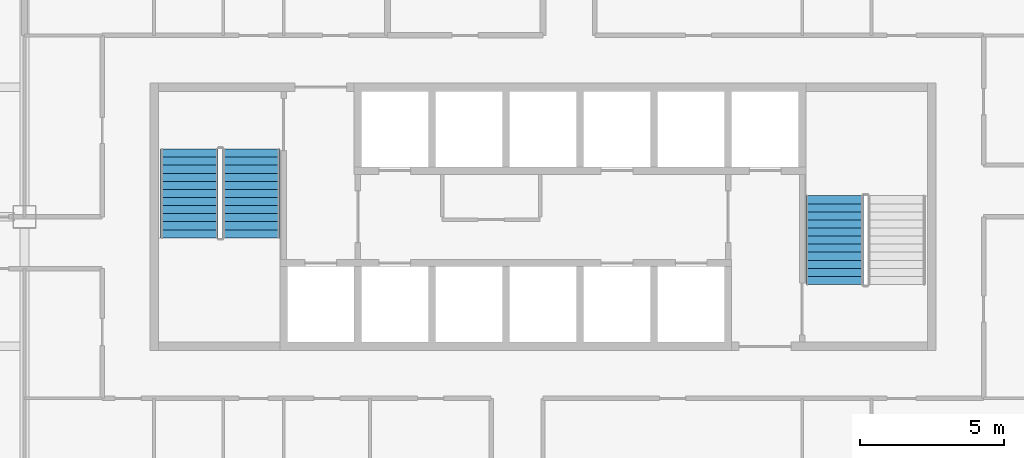
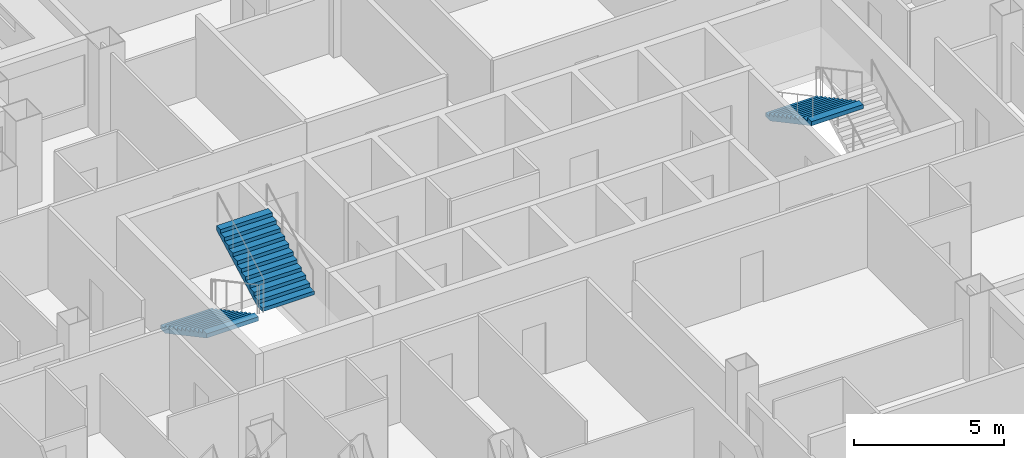
# One storey, part 10 of 14: 3 stair flights, 2 elements without a shape of their own.
"""IFC4 building model written with IfcOpenShell, lengths in metres."""

from ifc_helpers import new_model, si_unit, direction, frame, origin, place, context, subcontext, project, spatial, polygons, material, type_object, element, aggregate, save


model = new_model("IFC4")

# Units and contexts
model_context = context("Model", 3, precision=1e-05, world=origin(), true_north=direction((0.0, 1.0)))
body_context = subcontext(model_context, "Body", "Model", "MODEL_VIEW")
ifc_project = project(units=[si_unit("LENGTHUNIT", "METRE"), si_unit("AREAUNIT", "SQUARE_METRE"), si_unit("VOLUMEUNIT", "CUBIC_METRE"), si_unit("PLANEANGLEUNIT", "RADIAN"), si_unit("MASSUNIT", "GRAM", prefix="KILO")], contexts=[model_context])

# Site, building, storey
site_placement = place(None, origin())
site = spatial("IfcSite", under=ifc_project, at=site_placement, CompositionType="ELEMENT")
building_placement = place(site_placement, origin())
building = spatial("IfcBuilding", under=site, at=building_placement, Name="Caravel Reach Hotel and Residences", CompositionType="ELEMENT")
storey_placement = place(building_placement, frame((0.0, 0.0, 67.199951171875)))
storey = spatial("IfcBuildingStorey", under=building, at=storey_placement, Name="L15", CompositionType="ELEMENT", Elevation=67.199951171875)

# Stair, stair flights
ifc_material_1 = material(Name="Concrete C40", Category="concrete")
stair_type = type_object("IfcStairType", Name="Core stair", PredefinedType="HALF_TURN_STAIR", material=ifc_material_1)
stair_1_placement = place(storey_placement, origin())
stair_1 = element("IfcStair", 1, at=stair_1_placement, inside=storey, type_object=stair_type, Name="L15 Exit stair A", PredefinedType="HALF_TURN_STAIR")
ifc_material_2 = material(Name="Concrete C40", Category="concrete")
stair_flight_type = type_object("IfcStairFlightType", Name="Core stair flight", PredefinedType="STRAIGHT", material=ifc_material_2)
stair_flight_1_placement = place(storey_placement, frame((19.22509765625, 29.35009765625, 0.0), z_axis=(0.0, 0.0, 1.0), x_axis=(0.0, -1.0, 0.0)))
stair_flight_1 = element("IfcStairFlight", 2, at=stair_flight_1_placement, type_object=stair_flight_type, Name="ST-A flight 1", NumberOfRisers=12, NumberOfTreads=11, PredefinedType="STRAIGHT", RiserHeight=0.15, TreadLength=0.28, context=body_context, shape_type="Tessellation", body=[
    polygons([(0.3174408016601862, 1.0, 0.0), (0.3174408016601862, 0.6666666666666667, 0.0), (0.3174408016601862, 0.33333333333333337, 0.0), (0.3174408016601862, 0.0, 0.0), (0.3174408016601862, -0.33333333333333326, 0.0), (0.3174408016601862, -0.6666666666666667, 0.0), (0.3174408016601862, -1.0, 0.0), (3.081, 1.0, 1.479942427682043), (3.081, 0.6666666666666667, 1.479942427682043), (3.081, 0.33333333333333337, 1.479942427682043), (3.081, 0.0, 1.479942427682043), (3.081, -0.33333333333333326, 1.479942427682043), (3.081, -0.6666666666666667, 1.479942427682043), (3.081, -1.0, 1.479942427682043), (3.081, 1.0, 1.65), (3.081, 0.6666666666666667, 1.65), (3.081, 0.33333333333333337, 1.65), (3.081, 0.0, 1.65), (3.081, -0.33333333333333326, 1.65), (3.081, -0.6666666666666667, 1.65), (3.081, -1.0, 1.65), (2.8000000000000003, 1.0, 1.65), (2.8000000000000003, 0.6666666666666667, 1.65), (2.8000000000000003, 0.33333333333333337, 1.65), (2.8000000000000003, 0.0, 1.65), (2.8000000000000003, -0.33333333333333326, 1.65), (2.8000000000000003, -0.6666666666666667, 1.65), (2.8000000000000003, -1.0, 1.65), (2.8000000000000003, 1.0, 1.5), (2.8000000000000003, 0.6666666666666667, 1.5), (2.8000000000000003, 0.33333333333333337, 1.5), (2.8000000000000003, 0.0, 1.5), (2.8000000000000003, -0.33333333333333326, 1.5), (2.8000000000000003, -0.6666666666666667, 1.5), (2.8000000000000003, -1.0, 1.5), (2.5200000000000005, 1.0, 1.5), (2.5200000000000005, 0.6666666666666667, 1.5), (2.5200000000000005, 0.33333333333333337, 1.5), (2.5200000000000005, 0.0, 1.5), (2.5200000000000005, -0.33333333333333326, 1.5), (2.5200000000000005, -0.6666666666666667, 1.5), (2.5200000000000005, -1.0, 1.5), (2.5200000000000005, 1.0, 1.3499999999999999), (2.5200000000000005, 0.6666666666666667, 1.3499999999999999), (2.5200000000000005, 0.33333333333333337, 1.3499999999999999), (2.5200000000000005, 0.0, 1.3499999999999999), (2.5200000000000005, -0.33333333333333326, 1.3499999999999999), (2.5200000000000005, -0.6666666666666667, 1.3499999999999999), (2.5200000000000005, -1.0, 1.3499999999999999), (2.24, 1.0, 1.3499999999999999), (2.24, 0.6666666666666667, 1.3499999999999999), (2.24, 0.33333333333333337, 1.3499999999999999), (2.24, 0.0, 1.3499999999999999), (2.24, -0.33333333333333326, 1.3499999999999999), (2.24, -0.6666666666666667, 1.3499999999999999), (2.24, -1.0, 1.3499999999999999), (2.24, 1.0, 1.2), (2.24, 0.6666666666666667, 1.2), (2.24, 0.33333333333333337, 1.2), (2.24, 0.0, 1.2), (2.24, -0.33333333333333326, 1.2), (2.24, -0.6666666666666667, 1.2), (2.24, -1.0, 1.2), (1.9600000000000002, 1.0, 1.2), (1.9600000000000002, 0.6666666666666667, 1.2), (1.9600000000000002, 0.33333333333333337, 1.2), (1.9600000000000002, 0.0, 1.2), (1.9600000000000002, -0.33333333333333326, 1.2), (1.9600000000000002, -0.6666666666666667, 1.2), (1.9600000000000002, -1.0, 1.2), (1.9600000000000002, 1.0, 1.05), (1.9600000000000002, 0.6666666666666667, 1.05), (1.9600000000000002, 0.33333333333333337, 1.05), (1.9600000000000002, 0.0, 1.05), (1.9600000000000002, -0.33333333333333326, 1.05), (1.9600000000000002, -0.6666666666666667, 1.05), (1.9600000000000002, -1.0, 1.05), (1.6800000000000002, 1.0, 1.05), (1.6800000000000002, 0.6666666666666667, 1.05), (1.6800000000000002, 0.33333333333333337, 1.05), (1.6800000000000002, 0.0, 1.05), (1.6800000000000002, -0.33333333333333326, 1.05), (1.6800000000000002, -0.6666666666666667, 1.05), (1.6800000000000002, -1.0, 1.05), (1.6800000000000002, 1.0, 0.8999999999999999), (1.6800000000000002, 0.6666666666666667, 0.8999999999999999), (1.6800000000000002, 0.33333333333333337, 0.8999999999999999), (1.6800000000000002, 0.0, 0.8999999999999999), (1.6800000000000002, -0.33333333333333326, 0.8999999999999999), (1.6800000000000002, -0.6666666666666667, 0.8999999999999999), (1.6800000000000002, -1.0, 0.8999999999999999), (1.4000000000000001, 1.0, 0.8999999999999999), (1.4000000000000001, 0.6666666666666667, 0.8999999999999999), (1.4000000000000001, 0.33333333333333337, 0.8999999999999999), (1.4000000000000001, 0.0, 0.8999999999999999), (1.4000000000000001, -0.33333333333333326, 0.8999999999999999), (1.4000000000000001, -0.6666666666666667, 0.8999999999999999), (1.4000000000000001, -1.0, 0.8999999999999999), (1.4000000000000001, 1.0, 0.75), (1.4000000000000001, 0.6666666666666667, 0.75), (1.4000000000000001, 0.33333333333333337, 0.75), (1.4000000000000001, 0.0, 0.75), (1.4000000000000001, -0.33333333333333326, 0.75), (1.4000000000000001, -0.6666666666666667, 0.75), (1.4000000000000001, -1.0, 0.75), (1.12, 1.0, 0.75), (1.12, 0.6666666666666667, 0.75), (1.12, 0.33333333333333337, 0.75), (1.12, 0.0, 0.75), (1.12, -0.33333333333333326, 0.75), (1.12, -0.6666666666666667, 0.75), (1.12, -1.0, 0.75), (1.12, 1.0, 0.6), (1.12, 0.6666666666666667, 0.6), (1.12, 0.33333333333333337, 0.6), (1.12, 0.0, 0.6), (1.12, -0.33333333333333326, 0.6), (1.12, -0.6666666666666667, 0.6), (1.12, -1.0, 0.6), (0.8400000000000001, 1.0, 0.6), (0.8400000000000001, 0.6666666666666667, 0.6), (0.8400000000000001, 0.33333333333333337, 0.6), (0.8400000000000001, 0.0, 0.6), (0.8400000000000001, -0.33333333333333326, 0.6), (0.8400000000000001, -0.6666666666666667, 0.6), (0.8400000000000001, -1.0, 0.6), (0.8400000000000001, 1.0, 0.44999999999999996), (0.8400000000000001, 0.6666666666666667, 0.44999999999999996), (0.8400000000000001, 0.33333333333333337, 0.44999999999999996), (0.8400000000000001, 0.0, 0.44999999999999996), (0.8400000000000001, -0.33333333333333326, 0.44999999999999996), (0.8400000000000001, -0.6666666666666667, 0.44999999999999996), (0.8400000000000001, -1.0, 0.44999999999999996), (0.56, 1.0, 0.44999999999999996), (0.56, 0.6666666666666667, 0.44999999999999996), (0.56, 0.33333333333333337, 0.44999999999999996), (0.56, 0.0, 0.44999999999999996), (0.56, -0.33333333333333326, 0.44999999999999996), (0.56, -0.6666666666666667, 0.44999999999999996), (0.56, -1.0, 0.44999999999999996), (0.56, 1.0, 0.3), (0.56, 0.6666666666666667, 0.3), (0.56, 0.33333333333333337, 0.3), (0.56, 0.0, 0.3), (0.56, -0.33333333333333326, 0.3), (0.56, -0.6666666666666667, 0.3), (0.56, -1.0, 0.3), (0.28, 1.0, 0.3), (0.28, 0.6666666666666667, 0.3), (0.28, 0.33333333333333337, 0.3), (0.28, 0.0, 0.3), (0.28, -0.33333333333333326, 0.3), (0.28, -0.6666666666666667, 0.3), (0.28, -1.0, 0.3), (0.28, 1.0, 0.15), (0.28, 0.6666666666666667, 0.15), (0.28, 0.33333333333333337, 0.15), (0.28, 0.0, 0.15), (0.28, -0.33333333333333326, 0.15), (0.28, -0.6666666666666667, 0.15), (0.28, -1.0, 0.15), (-0.001, 1.0, 0.15), (-0.001, 0.6666666666666667, 0.15), (-0.001, 0.33333333333333337, 0.15), (-0.001, 0.0, 0.15), (-0.001, -0.33333333333333326, 0.15), (-0.001, -0.6666666666666667, 0.15), (-0.001, -1.0, 0.15), (-0.001, 1.0, 0.0), (-0.001, 0.6666666666666667, 0.0), (-0.001, 0.33333333333333337, 0.0), (-0.001, 0.0, 0.0), (-0.001, -0.33333333333333326, 0.0), (-0.001, -0.6666666666666667, 0.0), (-0.001, -1.0, 0.0)], [[[169, 162, 155, 148, 141, 134, 127, 120, 113, 106, 99, 92, 85, 78, 71, 64, 57, 50, 43, 36, 29, 22, 15, 8, 1]], [[7, 14, 21, 28, 35, 42, 49, 56, 63, 70, 77, 84, 91, 98, 105, 112, 119, 126, 133, 140, 147, 154, 161, 168, 175]], [[1, 8, 9, 2]], [[2, 9, 10, 3]], [[3, 10, 11, 4]], [[4, 11, 12, 5]], [[5, 12, 13, 6]], [[6, 13, 14, 7]], [[8, 15, 16, 9]], [[9, 16, 17, 10]], [[10, 17, 18, 11]], [[11, 18, 19, 12]], [[12, 19, 20, 13]], [[13, 20, 21, 14]], [[15, 22, 23, 16]], [[16, 23, 24, 17]], [[17, 24, 25, 18]], [[18, 25, 26, 19]], [[19, 26, 27, 20]], [[20, 27, 28, 21]], [[22, 29, 30, 23]], [[23, 30, 31, 24]], [[24, 31, 32, 25]], [[25, 32, 33, 26]], [[26, 33, 34, 27]], [[27, 34, 35, 28]], [[29, 36, 37, 30]], [[30, 37, 38, 31]], [[31, 38, 39, 32]], [[32, 39, 40, 33]], [[33, 40, 41, 34]], [[34, 41, 42, 35]], [[36, 43, 44, 37]], [[37, 44, 45, 38]], [[38, 45, 46, 39]], [[39, 46, 47, 40]], [[40, 47, 48, 41]], [[41, 48, 49, 42]], [[43, 50, 51, 44]], [[44, 51, 52, 45]], [[45, 52, 53, 46]], [[46, 53, 54, 47]], [[47, 54, 55, 48]], [[48, 55, 56, 49]], [[50, 57, 58, 51]], [[51, 58, 59, 52]], [[52, 59, 60, 53]], [[53, 60, 61, 54]], [[54, 61, 62, 55]], [[55, 62, 63, 56]], [[57, 64, 65, 58]], [[58, 65, 66, 59]], [[59, 66, 67, 60]], [[60, 67, 68, 61]], [[61, 68, 69, 62]], [[62, 69, 70, 63]], [[64, 71, 72, 65]], [[65, 72, 73, 66]], [[66, 73, 74, 67]], [[67, 74, 75, 68]], [[68, 75, 76, 69]], [[69, 76, 77, 70]], [[71, 78, 79, 72]], [[72, 79, 80, 73]], [[73, 80, 81, 74]], [[74, 81, 82, 75]], [[75, 82, 83, 76]], [[76, 83, 84, 77]], [[78, 85, 86, 79]], [[79, 86, 87, 80]], [[80, 87, 88, 81]], [[81, 88, 89, 82]], [[82, 89, 90, 83]], [[83, 90, 91, 84]], [[85, 92, 93, 86]], [[86, 93, 94, 87]], [[87, 94, 95, 88]], [[88, 95, 96, 89]], [[89, 96, 97, 90]], [[90, 97, 98, 91]], [[92, 99, 100, 93]], [[93, 100, 101, 94]], [[94, 101, 102, 95]], [[95, 102, 103, 96]], [[96, 103, 104, 97]], [[97, 104, 105, 98]], [[99, 106, 107, 100]], [[100, 107, 108, 101]], [[101, 108, 109, 102]], [[102, 109, 110, 103]], [[103, 110, 111, 104]], [[104, 111, 112, 105]], [[106, 113, 114, 107]], [[107, 114, 115, 108]], [[108, 115, 116, 109]], [[109, 116, 117, 110]], [[110, 117, 118, 111]], [[111, 118, 119, 112]], [[113, 120, 121, 114]], [[114, 121, 122, 115]], [[115, 122, 123, 116]], [[116, 123, 124, 117]], [[117, 124, 125, 118]], [[118, 125, 126, 119]], [[120, 127, 128, 121]], [[121, 128, 129, 122]], [[122, 129, 130, 123]], [[123, 130, 131, 124]], [[124, 131, 132, 125]], [[125, 132, 133, 126]], [[127, 134, 135, 128]], [[128, 135, 136, 129]], [[129, 136, 137, 130]], [[130, 137, 138, 131]], [[131, 138, 139, 132]], [[132, 139, 140, 133]], [[134, 141, 142, 135]], [[135, 142, 143, 136]], [[136, 143, 144, 137]], [[137, 144, 145, 138]], [[138, 145, 146, 139]], [[139, 146, 147, 140]], [[141, 148, 149, 142]], [[142, 149, 150, 143]], [[143, 150, 151, 144]], [[144, 151, 152, 145]], [[145, 152, 153, 146]], [[146, 153, 154, 147]], [[148, 155, 156, 149]], [[149, 156, 157, 150]], [[150, 157, 158, 151]], [[151, 158, 159, 152]], [[152, 159, 160, 153]], [[153, 160, 161, 154]], [[155, 162, 163, 156]], [[156, 163, 164, 157]], [[157, 164, 165, 158]], [[158, 165, 166, 159]], [[159, 166, 167, 160]], [[160, 167, 168, 161]], [[162, 169, 170, 163]], [[163, 170, 171, 164]], [[164, 171, 172, 165]], [[165, 172, 173, 166]], [[166, 173, 174, 167]], [[167, 174, 175, 168]], [[169, 1, 2, 170]], [[170, 2, 3, 171]], [[171, 3, 4, 172]], [[172, 4, 5, 173]], [[173, 5, 6, 174]], [[174, 6, 7, 175]]], closed=True),
])
stair_flight_2_placement = place(storey_placement, frame((21.375, 26.27001953125, 1.800048828125), z_axis=(0.0, 0.0, 1.0), x_axis=(0.0, 1.0, 0.0)))
stair_flight_2 = element("IfcStairFlight", 3, at=stair_flight_2_placement, type_object=stair_flight_type, Name="ST-A flight 2", NumberOfRisers=12, NumberOfTreads=11, PredefinedType="STRAIGHT", RiserHeight=0.15, TreadLength=0.28, context=body_context, shape_type="Tessellation", body=[
    polygons([(0.3174408016601862, 1.0, 0.0), (0.3174408016601862, 0.6666666666666667, 0.0), (0.3174408016601862, 0.33333333333333337, 0.0), (0.3174408016601862, 0.0, 0.0), (0.3174408016601862, -0.33333333333333326, 0.0), (0.3174408016601862, -0.6666666666666667, 0.0), (0.3174408016601862, -1.0, 0.0), (3.081, 1.0, 1.479942427682043), (3.081, 0.6666666666666667, 1.479942427682043), (3.081, 0.33333333333333337, 1.479942427682043), (3.081, 0.0, 1.479942427682043), (3.081, -0.33333333333333326, 1.479942427682043), (3.081, -0.6666666666666667, 1.479942427682043), (3.081, -1.0, 1.479942427682043), (3.081, 1.0, 1.65), (3.081, 0.6666666666666667, 1.65), (3.081, 0.33333333333333337, 1.65), (3.081, 0.0, 1.65), (3.081, -0.33333333333333326, 1.65), (3.081, -0.6666666666666667, 1.65), (3.081, -1.0, 1.65), (2.8000000000000003, 1.0, 1.65), (2.8000000000000003, 0.6666666666666667, 1.65), (2.8000000000000003, 0.33333333333333337, 1.65), (2.8000000000000003, 0.0, 1.65), (2.8000000000000003, -0.33333333333333326, 1.65), (2.8000000000000003, -0.6666666666666667, 1.65), (2.8000000000000003, -1.0, 1.65), (2.8000000000000003, 1.0, 1.5), (2.8000000000000003, 0.6666666666666667, 1.5), (2.8000000000000003, 0.33333333333333337, 1.5), (2.8000000000000003, 0.0, 1.5), (2.8000000000000003, -0.33333333333333326, 1.5), (2.8000000000000003, -0.6666666666666667, 1.5), (2.8000000000000003, -1.0, 1.5), (2.5200000000000005, 1.0, 1.5), (2.5200000000000005, 0.6666666666666667, 1.5), (2.5200000000000005, 0.33333333333333337, 1.5), (2.5200000000000005, 0.0, 1.5), (2.5200000000000005, -0.33333333333333326, 1.5), (2.5200000000000005, -0.6666666666666667, 1.5), (2.5200000000000005, -1.0, 1.5), (2.5200000000000005, 1.0, 1.3499999999999999), (2.5200000000000005, 0.6666666666666667, 1.3499999999999999), (2.5200000000000005, 0.33333333333333337, 1.3499999999999999), (2.5200000000000005, 0.0, 1.3499999999999999), (2.5200000000000005, -0.33333333333333326, 1.3499999999999999), (2.5200000000000005, -0.6666666666666667, 1.3499999999999999), (2.5200000000000005, -1.0, 1.3499999999999999), (2.24, 1.0, 1.3499999999999999), (2.24, 0.6666666666666667, 1.3499999999999999), (2.24, 0.33333333333333337, 1.3499999999999999), (2.24, 0.0, 1.3499999999999999), (2.24, -0.33333333333333326, 1.3499999999999999), (2.24, -0.6666666666666667, 1.3499999999999999), (2.24, -1.0, 1.3499999999999999), (2.24, 1.0, 1.2), (2.24, 0.6666666666666667, 1.2), (2.24, 0.33333333333333337, 1.2), (2.24, 0.0, 1.2), (2.24, -0.33333333333333326, 1.2), (2.24, -0.6666666666666667, 1.2), (2.24, -1.0, 1.2), (1.9600000000000002, 1.0, 1.2), (1.9600000000000002, 0.6666666666666667, 1.2), (1.9600000000000002, 0.33333333333333337, 1.2), (1.9600000000000002, 0.0, 1.2), (1.9600000000000002, -0.33333333333333326, 1.2), (1.9600000000000002, -0.6666666666666667, 1.2), (1.9600000000000002, -1.0, 1.2), (1.9600000000000002, 1.0, 1.05), (1.9600000000000002, 0.6666666666666667, 1.05), (1.9600000000000002, 0.33333333333333337, 1.05), (1.9600000000000002, 0.0, 1.05), (1.9600000000000002, -0.33333333333333326, 1.05), (1.9600000000000002, -0.6666666666666667, 1.05), (1.9600000000000002, -1.0, 1.05), (1.6800000000000002, 1.0, 1.05), (1.6800000000000002, 0.6666666666666667, 1.05), (1.6800000000000002, 0.33333333333333337, 1.05), (1.6800000000000002, 0.0, 1.05), (1.6800000000000002, -0.33333333333333326, 1.05), (1.6800000000000002, -0.6666666666666667, 1.05), (1.6800000000000002, -1.0, 1.05), (1.6800000000000002, 1.0, 0.8999999999999999), (1.6800000000000002, 0.6666666666666667, 0.8999999999999999), (1.6800000000000002, 0.33333333333333337, 0.8999999999999999), (1.6800000000000002, 0.0, 0.8999999999999999), (1.6800000000000002, -0.33333333333333326, 0.8999999999999999), (1.6800000000000002, -0.6666666666666667, 0.8999999999999999), (1.6800000000000002, -1.0, 0.8999999999999999), (1.4000000000000001, 1.0, 0.8999999999999999), (1.4000000000000001, 0.6666666666666667, 0.8999999999999999), (1.4000000000000001, 0.33333333333333337, 0.8999999999999999), (1.4000000000000001, 0.0, 0.8999999999999999), (1.4000000000000001, -0.33333333333333326, 0.8999999999999999), (1.4000000000000001, -0.6666666666666667, 0.8999999999999999), (1.4000000000000001, -1.0, 0.8999999999999999), (1.4000000000000001, 1.0, 0.75), (1.4000000000000001, 0.6666666666666667, 0.75), (1.4000000000000001, 0.33333333333333337, 0.75), (1.4000000000000001, 0.0, 0.75), (1.4000000000000001, -0.33333333333333326, 0.75), (1.4000000000000001, -0.6666666666666667, 0.75), (1.4000000000000001, -1.0, 0.75), (1.12, 1.0, 0.75), (1.12, 0.6666666666666667, 0.75), (1.12, 0.33333333333333337, 0.75), (1.12, 0.0, 0.75), (1.12, -0.33333333333333326, 0.75), (1.12, -0.6666666666666667, 0.75), (1.12, -1.0, 0.75), (1.12, 1.0, 0.6), (1.12, 0.6666666666666667, 0.6), (1.12, 0.33333333333333337, 0.6), (1.12, 0.0, 0.6), (1.12, -0.33333333333333326, 0.6), (1.12, -0.6666666666666667, 0.6), (1.12, -1.0, 0.6), (0.8400000000000001, 1.0, 0.6), (0.8400000000000001, 0.6666666666666667, 0.6), (0.8400000000000001, 0.33333333333333337, 0.6), (0.8400000000000001, 0.0, 0.6), (0.8400000000000001, -0.33333333333333326, 0.6), (0.8400000000000001, -0.6666666666666667, 0.6), (0.8400000000000001, -1.0, 0.6), (0.8400000000000001, 1.0, 0.44999999999999996), (0.8400000000000001, 0.6666666666666667, 0.44999999999999996), (0.8400000000000001, 0.33333333333333337, 0.44999999999999996), (0.8400000000000001, 0.0, 0.44999999999999996), (0.8400000000000001, -0.33333333333333326, 0.44999999999999996), (0.8400000000000001, -0.6666666666666667, 0.44999999999999996), (0.8400000000000001, -1.0, 0.44999999999999996), (0.56, 1.0, 0.44999999999999996), (0.56, 0.6666666666666667, 0.44999999999999996), (0.56, 0.33333333333333337, 0.44999999999999996), (0.56, 0.0, 0.44999999999999996), (0.56, -0.33333333333333326, 0.44999999999999996), (0.56, -0.6666666666666667, 0.44999999999999996), (0.56, -1.0, 0.44999999999999996), (0.56, 1.0, 0.3), (0.56, 0.6666666666666667, 0.3), (0.56, 0.33333333333333337, 0.3), (0.56, 0.0, 0.3), (0.56, -0.33333333333333326, 0.3), (0.56, -0.6666666666666667, 0.3), (0.56, -1.0, 0.3), (0.28, 1.0, 0.3), (0.28, 0.6666666666666667, 0.3), (0.28, 0.33333333333333337, 0.3), (0.28, 0.0, 0.3), (0.28, -0.33333333333333326, 0.3), (0.28, -0.6666666666666667, 0.3), (0.28, -1.0, 0.3), (0.28, 1.0, 0.15), (0.28, 0.6666666666666667, 0.15), (0.28, 0.33333333333333337, 0.15), (0.28, 0.0, 0.15), (0.28, -0.33333333333333326, 0.15), (0.28, -0.6666666666666667, 0.15), (0.28, -1.0, 0.15), (-0.001, 1.0, 0.15), (-0.001, 0.6666666666666667, 0.15), (-0.001, 0.33333333333333337, 0.15), (-0.001, 0.0, 0.15), (-0.001, -0.33333333333333326, 0.15), (-0.001, -0.6666666666666667, 0.15), (-0.001, -1.0, 0.15), (-0.001, 1.0, 0.0), (-0.001, 0.6666666666666667, 0.0), (-0.001, 0.33333333333333337, 0.0), (-0.001, 0.0, 0.0), (-0.001, -0.33333333333333326, 0.0), (-0.001, -0.6666666666666667, 0.0), (-0.001, -1.0, 0.0)], [[[169, 162, 155, 148, 141, 134, 127, 120, 113, 106, 99, 92, 85, 78, 71, 64, 57, 50, 43, 36, 29, 22, 15, 8, 1]], [[7, 14, 21, 28, 35, 42, 49, 56, 63, 70, 77, 84, 91, 98, 105, 112, 119, 126, 133, 140, 147, 154, 161, 168, 175]], [[1, 8, 9, 2]], [[2, 9, 10, 3]], [[3, 10, 11, 4]], [[4, 11, 12, 5]], [[5, 12, 13, 6]], [[6, 13, 14, 7]], [[8, 15, 16, 9]], [[9, 16, 17, 10]], [[10, 17, 18, 11]], [[11, 18, 19, 12]], [[12, 19, 20, 13]], [[13, 20, 21, 14]], [[15, 22, 23, 16]], [[16, 23, 24, 17]], [[17, 24, 25, 18]], [[18, 25, 26, 19]], [[19, 26, 27, 20]], [[20, 27, 28, 21]], [[22, 29, 30, 23]], [[23, 30, 31, 24]], [[24, 31, 32, 25]], [[25, 32, 33, 26]], [[26, 33, 34, 27]], [[27, 34, 35, 28]], [[29, 36, 37, 30]], [[30, 37, 38, 31]], [[31, 38, 39, 32]], [[32, 39, 40, 33]], [[33, 40, 41, 34]], [[34, 41, 42, 35]], [[36, 43, 44, 37]], [[37, 44, 45, 38]], [[38, 45, 46, 39]], [[39, 46, 47, 40]], [[40, 47, 48, 41]], [[41, 48, 49, 42]], [[43, 50, 51, 44]], [[44, 51, 52, 45]], [[45, 52, 53, 46]], [[46, 53, 54, 47]], [[47, 54, 55, 48]], [[48, 55, 56, 49]], [[50, 57, 58, 51]], [[51, 58, 59, 52]], [[52, 59, 60, 53]], [[53, 60, 61, 54]], [[54, 61, 62, 55]], [[55, 62, 63, 56]], [[57, 64, 65, 58]], [[58, 65, 66, 59]], [[59, 66, 67, 60]], [[60, 67, 68, 61]], [[61, 68, 69, 62]], [[62, 69, 70, 63]], [[64, 71, 72, 65]], [[65, 72, 73, 66]], [[66, 73, 74, 67]], [[67, 74, 75, 68]], [[68, 75, 76, 69]], [[69, 76, 77, 70]], [[71, 78, 79, 72]], [[72, 79, 80, 73]], [[73, 80, 81, 74]], [[74, 81, 82, 75]], [[75, 82, 83, 76]], [[76, 83, 84, 77]], [[78, 85, 86, 79]], [[79, 86, 87, 80]], [[80, 87, 88, 81]], [[81, 88, 89, 82]], [[82, 89, 90, 83]], [[83, 90, 91, 84]], [[85, 92, 93, 86]], [[86, 93, 94, 87]], [[87, 94, 95, 88]], [[88, 95, 96, 89]], [[89, 96, 97, 90]], [[90, 97, 98, 91]], [[92, 99, 100, 93]], [[93, 100, 101, 94]], [[94, 101, 102, 95]], [[95, 102, 103, 96]], [[96, 103, 104, 97]], [[97, 104, 105, 98]], [[99, 106, 107, 100]], [[100, 107, 108, 101]], [[101, 108, 109, 102]], [[102, 109, 110, 103]], [[103, 110, 111, 104]], [[104, 111, 112, 105]], [[106, 113, 114, 107]], [[107, 114, 115, 108]], [[108, 115, 116, 109]], [[109, 116, 117, 110]], [[110, 117, 118, 111]], [[111, 118, 119, 112]], [[113, 120, 121, 114]], [[114, 121, 122, 115]], [[115, 122, 123, 116]], [[116, 123, 124, 117]], [[117, 124, 125, 118]], [[118, 125, 126, 119]], [[120, 127, 128, 121]], [[121, 128, 129, 122]], [[122, 129, 130, 123]], [[123, 130, 131, 124]], [[124, 131, 132, 125]], [[125, 132, 133, 126]], [[127, 134, 135, 128]], [[128, 135, 136, 129]], [[129, 136, 137, 130]], [[130, 137, 138, 131]], [[131, 138, 139, 132]], [[132, 139, 140, 133]], [[134, 141, 142, 135]], [[135, 142, 143, 136]], [[136, 143, 144, 137]], [[137, 144, 145, 138]], [[138, 145, 146, 139]], [[139, 146, 147, 140]], [[141, 148, 149, 142]], [[142, 149, 150, 143]], [[143, 150, 151, 144]], [[144, 151, 152, 145]], [[145, 152, 153, 146]], [[146, 153, 154, 147]], [[148, 155, 156, 149]], [[149, 156, 157, 150]], [[150, 157, 158, 151]], [[151, 158, 159, 152]], [[152, 159, 160, 153]], [[153, 160, 161, 154]], [[155, 162, 163, 156]], [[156, 163, 164, 157]], [[157, 164, 165, 158]], [[158, 165, 166, 159]], [[159, 166, 167, 160]], [[160, 167, 168, 161]], [[162, 169, 170, 163]], [[163, 170, 171, 164]], [[164, 171, 172, 165]], [[165, 172, 173, 166]], [[166, 173, 174, 167]], [[167, 174, 175, 168]], [[169, 1, 2, 170]], [[170, 2, 3, 171]], [[171, 3, 4, 172]], [[172, 4, 5, 173]], [[173, 5, 6, 174]], [[174, 6, 7, 175]]], closed=True),
])
aggregate(stair_1, [stair_flight_1, stair_flight_2])

# Stair, stair flight
stair_2_placement = place(storey_placement, origin())
stair_2 = element("IfcStair", 4, at=stair_2_placement, inside=storey, type_object=stair_type, Name="L15 Exit stair B", PredefinedType="HALF_TURN_STAIR")
stair_flight_3_placement = place(storey_placement, frame((41.625, 27.72998046875, 1.800048828125), z_axis=(0.0, 0.0, 1.0), x_axis=(0.0, -1.0, 0.0)))
stair_flight_3 = element("IfcStairFlight", 5, at=stair_flight_3_placement, type_object=stair_flight_type, Name="ST-B flight 2", NumberOfRisers=12, NumberOfTreads=11, PredefinedType="STRAIGHT", RiserHeight=0.15, TreadLength=0.28, context=body_context, shape_type="Tessellation", body=[
    polygons([(0.3174408016601862, 1.0, 0.0), (0.3174408016601862, 0.6666666666666667, 0.0), (0.3174408016601862, 0.33333333333333337, 0.0), (0.3174408016601862, 0.0, 0.0), (0.3174408016601862, -0.33333333333333326, 0.0), (0.3174408016601862, -0.6666666666666667, 0.0), (0.3174408016601862, -1.0, 0.0), (3.081, 1.0, 1.479942427682043), (3.081, 0.6666666666666667, 1.479942427682043), (3.081, 0.33333333333333337, 1.479942427682043), (3.081, 0.0, 1.479942427682043), (3.081, -0.33333333333333326, 1.479942427682043), (3.081, -0.6666666666666667, 1.479942427682043), (3.081, -1.0, 1.479942427682043), (3.081, 1.0, 1.65), (3.081, 0.6666666666666667, 1.65), (3.081, 0.33333333333333337, 1.65), (3.081, 0.0, 1.65), (3.081, -0.33333333333333326, 1.65), (3.081, -0.6666666666666667, 1.65), (3.081, -1.0, 1.65), (2.8000000000000003, 1.0, 1.65), (2.8000000000000003, 0.6666666666666667, 1.65), (2.8000000000000003, 0.33333333333333337, 1.65), (2.8000000000000003, 0.0, 1.65), (2.8000000000000003, -0.33333333333333326, 1.65), (2.8000000000000003, -0.6666666666666667, 1.65), (2.8000000000000003, -1.0, 1.65), (2.8000000000000003, 1.0, 1.5), (2.8000000000000003, 0.6666666666666667, 1.5), (2.8000000000000003, 0.33333333333333337, 1.5), (2.8000000000000003, 0.0, 1.5), (2.8000000000000003, -0.33333333333333326, 1.5), (2.8000000000000003, -0.6666666666666667, 1.5), (2.8000000000000003, -1.0, 1.5), (2.5200000000000005, 1.0, 1.5), (2.5200000000000005, 0.6666666666666667, 1.5), (2.5200000000000005, 0.33333333333333337, 1.5), (2.5200000000000005, 0.0, 1.5), (2.5200000000000005, -0.33333333333333326, 1.5), (2.5200000000000005, -0.6666666666666667, 1.5), (2.5200000000000005, -1.0, 1.5), (2.5200000000000005, 1.0, 1.3499999999999999), (2.5200000000000005, 0.6666666666666667, 1.3499999999999999), (2.5200000000000005, 0.33333333333333337, 1.3499999999999999), (2.5200000000000005, 0.0, 1.3499999999999999), (2.5200000000000005, -0.33333333333333326, 1.3499999999999999), (2.5200000000000005, -0.6666666666666667, 1.3499999999999999), (2.5200000000000005, -1.0, 1.3499999999999999), (2.24, 1.0, 1.3499999999999999), (2.24, 0.6666666666666667, 1.3499999999999999), (2.24, 0.33333333333333337, 1.3499999999999999), (2.24, 0.0, 1.3499999999999999), (2.24, -0.33333333333333326, 1.3499999999999999), (2.24, -0.6666666666666667, 1.3499999999999999), (2.24, -1.0, 1.3499999999999999), (2.24, 1.0, 1.2), (2.24, 0.6666666666666667, 1.2), (2.24, 0.33333333333333337, 1.2), (2.24, 0.0, 1.2), (2.24, -0.33333333333333326, 1.2), (2.24, -0.6666666666666667, 1.2), (2.24, -1.0, 1.2), (1.9600000000000002, 1.0, 1.2), (1.9600000000000002, 0.6666666666666667, 1.2), (1.9600000000000002, 0.33333333333333337, 1.2), (1.9600000000000002, 0.0, 1.2), (1.9600000000000002, -0.33333333333333326, 1.2), (1.9600000000000002, -0.6666666666666667, 1.2), (1.9600000000000002, -1.0, 1.2), (1.9600000000000002, 1.0, 1.05), (1.9600000000000002, 0.6666666666666667, 1.05), (1.9600000000000002, 0.33333333333333337, 1.05), (1.9600000000000002, 0.0, 1.05), (1.9600000000000002, -0.33333333333333326, 1.05), (1.9600000000000002, -0.6666666666666667, 1.05), (1.9600000000000002, -1.0, 1.05), (1.6800000000000002, 1.0, 1.05), (1.6800000000000002, 0.6666666666666667, 1.05), (1.6800000000000002, 0.33333333333333337, 1.05), (1.6800000000000002, 0.0, 1.05), (1.6800000000000002, -0.33333333333333326, 1.05), (1.6800000000000002, -0.6666666666666667, 1.05), (1.6800000000000002, -1.0, 1.05), (1.6800000000000002, 1.0, 0.8999999999999999), (1.6800000000000002, 0.6666666666666667, 0.8999999999999999), (1.6800000000000002, 0.33333333333333337, 0.8999999999999999), (1.6800000000000002, 0.0, 0.8999999999999999), (1.6800000000000002, -0.33333333333333326, 0.8999999999999999), (1.6800000000000002, -0.6666666666666667, 0.8999999999999999), (1.6800000000000002, -1.0, 0.8999999999999999), (1.4000000000000001, 1.0, 0.8999999999999999), (1.4000000000000001, 0.6666666666666667, 0.8999999999999999), (1.4000000000000001, 0.33333333333333337, 0.8999999999999999), (1.4000000000000001, 0.0, 0.8999999999999999), (1.4000000000000001, -0.33333333333333326, 0.8999999999999999), (1.4000000000000001, -0.6666666666666667, 0.8999999999999999), (1.4000000000000001, -1.0, 0.8999999999999999), (1.4000000000000001, 1.0, 0.75), (1.4000000000000001, 0.6666666666666667, 0.75), (1.4000000000000001, 0.33333333333333337, 0.75), (1.4000000000000001, 0.0, 0.75), (1.4000000000000001, -0.33333333333333326, 0.75), (1.4000000000000001, -0.6666666666666667, 0.75), (1.4000000000000001, -1.0, 0.75), (1.12, 1.0, 0.75), (1.12, 0.6666666666666667, 0.75), (1.12, 0.33333333333333337, 0.75), (1.12, 0.0, 0.75), (1.12, -0.33333333333333326, 0.75), (1.12, -0.6666666666666667, 0.75), (1.12, -1.0, 0.75), (1.12, 1.0, 0.6), (1.12, 0.6666666666666667, 0.6), (1.12, 0.33333333333333337, 0.6), (1.12, 0.0, 0.6), (1.12, -0.33333333333333326, 0.6), (1.12, -0.6666666666666667, 0.6), (1.12, -1.0, 0.6), (0.8400000000000001, 1.0, 0.6), (0.8400000000000001, 0.6666666666666667, 0.6), (0.8400000000000001, 0.33333333333333337, 0.6), (0.8400000000000001, 0.0, 0.6), (0.8400000000000001, -0.33333333333333326, 0.6), (0.8400000000000001, -0.6666666666666667, 0.6), (0.8400000000000001, -1.0, 0.6), (0.8400000000000001, 1.0, 0.44999999999999996), (0.8400000000000001, 0.6666666666666667, 0.44999999999999996), (0.8400000000000001, 0.33333333333333337, 0.44999999999999996), (0.8400000000000001, 0.0, 0.44999999999999996), (0.8400000000000001, -0.33333333333333326, 0.44999999999999996), (0.8400000000000001, -0.6666666666666667, 0.44999999999999996), (0.8400000000000001, -1.0, 0.44999999999999996), (0.56, 1.0, 0.44999999999999996), (0.56, 0.6666666666666667, 0.44999999999999996), (0.56, 0.33333333333333337, 0.44999999999999996), (0.56, 0.0, 0.44999999999999996), (0.56, -0.33333333333333326, 0.44999999999999996), (0.56, -0.6666666666666667, 0.44999999999999996), (0.56, -1.0, 0.44999999999999996), (0.56, 1.0, 0.3), (0.56, 0.6666666666666667, 0.3), (0.56, 0.33333333333333337, 0.3), (0.56, 0.0, 0.3), (0.56, -0.33333333333333326, 0.3), (0.56, -0.6666666666666667, 0.3), (0.56, -1.0, 0.3), (0.28, 1.0, 0.3), (0.28, 0.6666666666666667, 0.3), (0.28, 0.33333333333333337, 0.3), (0.28, 0.0, 0.3), (0.28, -0.33333333333333326, 0.3), (0.28, -0.6666666666666667, 0.3), (0.28, -1.0, 0.3), (0.28, 1.0, 0.15), (0.28, 0.6666666666666667, 0.15), (0.28, 0.33333333333333337, 0.15), (0.28, 0.0, 0.15), (0.28, -0.33333333333333326, 0.15), (0.28, -0.6666666666666667, 0.15), (0.28, -1.0, 0.15), (-0.001, 1.0, 0.15), (-0.001, 0.6666666666666667, 0.15), (-0.001, 0.33333333333333337, 0.15), (-0.001, 0.0, 0.15), (-0.001, -0.33333333333333326, 0.15), (-0.001, -0.6666666666666667, 0.15), (-0.001, -1.0, 0.15), (-0.001, 1.0, 0.0), (-0.001, 0.6666666666666667, 0.0), (-0.001, 0.33333333333333337, 0.0), (-0.001, 0.0, 0.0), (-0.001, -0.33333333333333326, 0.0), (-0.001, -0.6666666666666667, 0.0), (-0.001, -1.0, 0.0)], [[[169, 162, 155, 148, 141, 134, 127, 120, 113, 106, 99, 92, 85, 78, 71, 64, 57, 50, 43, 36, 29, 22, 15, 8, 1]], [[7, 14, 21, 28, 35, 42, 49, 56, 63, 70, 77, 84, 91, 98, 105, 112, 119, 126, 133, 140, 147, 154, 161, 168, 175]], [[1, 8, 9, 2]], [[2, 9, 10, 3]], [[3, 10, 11, 4]], [[4, 11, 12, 5]], [[5, 12, 13, 6]], [[6, 13, 14, 7]], [[8, 15, 16, 9]], [[9, 16, 17, 10]], [[10, 17, 18, 11]], [[11, 18, 19, 12]], [[12, 19, 20, 13]], [[13, 20, 21, 14]], [[15, 22, 23, 16]], [[16, 23, 24, 17]], [[17, 24, 25, 18]], [[18, 25, 26, 19]], [[19, 26, 27, 20]], [[20, 27, 28, 21]], [[22, 29, 30, 23]], [[23, 30, 31, 24]], [[24, 31, 32, 25]], [[25, 32, 33, 26]], [[26, 33, 34, 27]], [[27, 34, 35, 28]], [[29, 36, 37, 30]], [[30, 37, 38, 31]], [[31, 38, 39, 32]], [[32, 39, 40, 33]], [[33, 40, 41, 34]], [[34, 41, 42, 35]], [[36, 43, 44, 37]], [[37, 44, 45, 38]], [[38, 45, 46, 39]], [[39, 46, 47, 40]], [[40, 47, 48, 41]], [[41, 48, 49, 42]], [[43, 50, 51, 44]], [[44, 51, 52, 45]], [[45, 52, 53, 46]], [[46, 53, 54, 47]], [[47, 54, 55, 48]], [[48, 55, 56, 49]], [[50, 57, 58, 51]], [[51, 58, 59, 52]], [[52, 59, 60, 53]], [[53, 60, 61, 54]], [[54, 61, 62, 55]], [[55, 62, 63, 56]], [[57, 64, 65, 58]], [[58, 65, 66, 59]], [[59, 66, 67, 60]], [[60, 67, 68, 61]], [[61, 68, 69, 62]], [[62, 69, 70, 63]], [[64, 71, 72, 65]], [[65, 72, 73, 66]], [[66, 73, 74, 67]], [[67, 74, 75, 68]], [[68, 75, 76, 69]], [[69, 76, 77, 70]], [[71, 78, 79, 72]], [[72, 79, 80, 73]], [[73, 80, 81, 74]], [[74, 81, 82, 75]], [[75, 82, 83, 76]], [[76, 83, 84, 77]], [[78, 85, 86, 79]], [[79, 86, 87, 80]], [[80, 87, 88, 81]], [[81, 88, 89, 82]], [[82, 89, 90, 83]], [[83, 90, 91, 84]], [[85, 92, 93, 86]], [[86, 93, 94, 87]], [[87, 94, 95, 88]], [[88, 95, 96, 89]], [[89, 96, 97, 90]], [[90, 97, 98, 91]], [[92, 99, 100, 93]], [[93, 100, 101, 94]], [[94, 101, 102, 95]], [[95, 102, 103, 96]], [[96, 103, 104, 97]], [[97, 104, 105, 98]], [[99, 106, 107, 100]], [[100, 107, 108, 101]], [[101, 108, 109, 102]], [[102, 109, 110, 103]], [[103, 110, 111, 104]], [[104, 111, 112, 105]], [[106, 113, 114, 107]], [[107, 114, 115, 108]], [[108, 115, 116, 109]], [[109, 116, 117, 110]], [[110, 117, 118, 111]], [[111, 118, 119, 112]], [[113, 120, 121, 114]], [[114, 121, 122, 115]], [[115, 122, 123, 116]], [[116, 123, 124, 117]], [[117, 124, 125, 118]], [[118, 125, 126, 119]], [[120, 127, 128, 121]], [[121, 128, 129, 122]], [[122, 129, 130, 123]], [[123, 130, 131, 124]], [[124, 131, 132, 125]], [[125, 132, 133, 126]], [[127, 134, 135, 128]], [[128, 135, 136, 129]], [[129, 136, 137, 130]], [[130, 137, 138, 131]], [[131, 138, 139, 132]], [[132, 139, 140, 133]], [[134, 141, 142, 135]], [[135, 142, 143, 136]], [[136, 143, 144, 137]], [[137, 144, 145, 138]], [[138, 145, 146, 139]], [[139, 146, 147, 140]], [[141, 148, 149, 142]], [[142, 149, 150, 143]], [[143, 150, 151, 144]], [[144, 151, 152, 145]], [[145, 152, 153, 146]], [[146, 153, 154, 147]], [[148, 155, 156, 149]], [[149, 156, 157, 150]], [[150, 157, 158, 151]], [[151, 158, 159, 152]], [[152, 159, 160, 153]], [[153, 160, 161, 154]], [[155, 162, 163, 156]], [[156, 163, 164, 157]], [[157, 164, 165, 158]], [[158, 165, 166, 159]], [[159, 166, 167, 160]], [[160, 167, 168, 161]], [[162, 169, 170, 163]], [[163, 170, 171, 164]], [[164, 171, 172, 165]], [[165, 172, 173, 166]], [[166, 173, 174, 167]], [[167, 174, 175, 168]], [[169, 1, 2, 170]], [[170, 2, 3, 171]], [[171, 3, 4, 172]], [[172, 4, 5, 173]], [[173, 5, 6, 174]], [[174, 6, 7, 175]]], closed=True),
])
aggregate(stair_2, [stair_flight_3])

save(model, "model.ifc")
